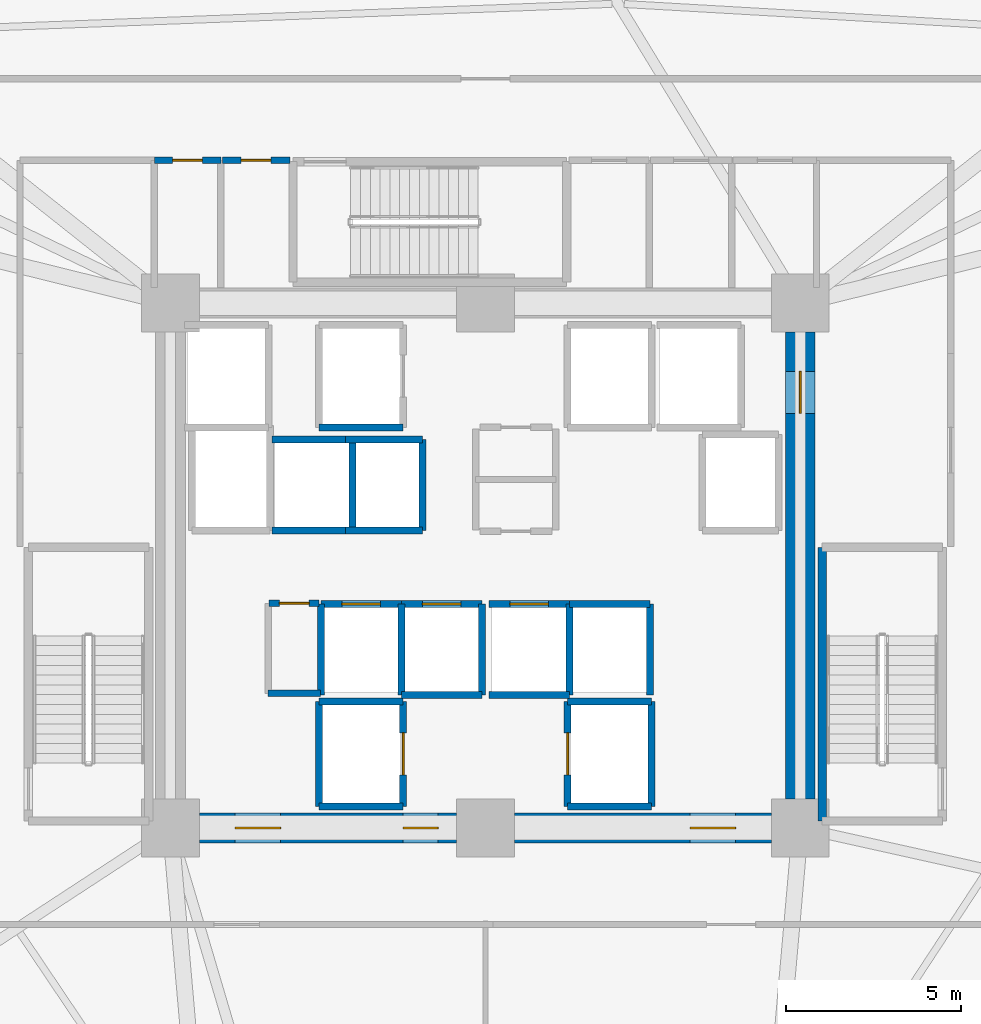
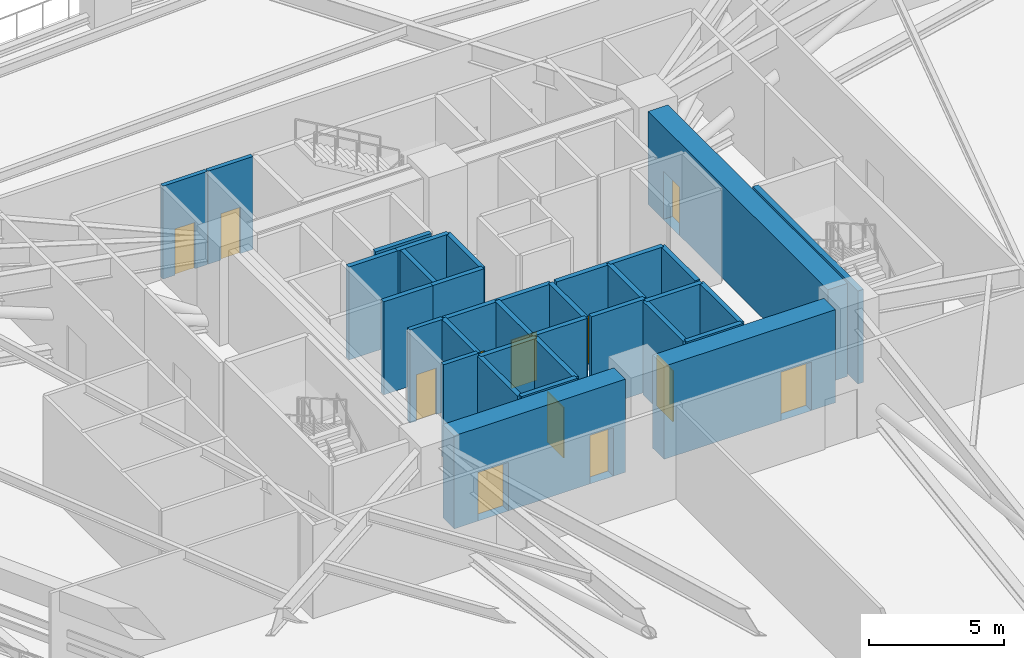
# One storey, part 18 of 25: 34 walls, 12 doors, 12 openings.
"""IFC4 building model written with IfcOpenShell, lengths in metres."""

from ifc_helpers import new_model, si_unit, direction, frame, frame_2d, origin, place, context, subcontext, project, spatial, rectangle, extrude, source, transform, mapped, material, layer, layer_set, type_object, element, fill, save


model = new_model("IFC4")

# Units and contexts
model_context = context("Model", 3, precision=1e-05, world=origin(), true_north=direction((0.0, 1.0)))
body_context = subcontext(model_context, "Body", "Model", "MODEL_VIEW")
ifc_project = project(units=[si_unit("LENGTHUNIT", "METRE"), si_unit("AREAUNIT", "SQUARE_METRE"), si_unit("VOLUMEUNIT", "CUBIC_METRE"), si_unit("PLANEANGLEUNIT", "RADIAN"), si_unit("MASSUNIT", "GRAM", prefix="KILO")], contexts=[model_context])

# Site, building, storey
site_placement = place(None, origin())
site = spatial("IfcSite", under=ifc_project, at=site_placement, CompositionType="ELEMENT")
building_placement = place(site_placement, origin())
building = spatial("IfcBuilding", under=site, at=building_placement, Name="Liaohun Quay Tower", CompositionType="ELEMENT")
storey_placement = place(building_placement, frame((0.0, 0.0, 93.0)))
storey = spatial("IfcBuildingStorey", under=building, at=storey_placement, Name="L24", CompositionType="ELEMENT", Elevation=93.0)

# Wall, opening, door
ifc_material_1 = material(Name="Concrete C60", Category="concrete")
ifc_layer_1 = layer(ifc_material_1, 0.85009765625, Name="Concrete C60", Category="concrete")
ifc_layer_set_1 = layer_set([ifc_layer_1], Name="Concrete C60")
wall_type_1 = type_object("IfcWallType", Name="WAL-COR-Z1", PredefinedType="SHEAR", material=ifc_layer_set_1)
wall_1_placement = place(storey_placement, frame((69.0, 60.675048828125, 0.0), z_axis=(0.0, 0.0, 1.0), x_axis=(0.0, -1.0, 0.0)))
wall_1 = element("IfcWall", 1, at=wall_1_placement, inside=storey, type_object=wall_type_1, Name="L24 Central Core Shear Wall E", PredefinedType="SHEAR", context=body_context, shape_type="SweptSolid", body=[
    extrude(rectangle(XDim=13.35009765625, YDim=0.85009765625, at=frame_2d((6.675048828125, 0.0))), origin(), (0.0, 0.0, 1.0), 4.219970703125),
])
shared_shape_1 = source(origin(), body_context, "Body", "SweptSolid", [
    extrude(rectangle(XDim=1.199951171875, YDim=2.199951171875, at=frame_2d((0.60009765625, 1.10009765625))), frame((0.0, 0.43505859375, 0.0), z_axis=(0.0, -1.0, 0.0), x_axis=(1.0, 0.0, 0.0)), (0.0, 0.0, 1.0), 0.8701171875),
])
opening_1_placement = place(wall_1_placement, frame((1.125, 0.0, 0.0)))
opening_1 = element("IfcOpeningElement", 2, at=opening_1_placement, cuts=wall_1, Name="Opening SD1", PredefinedType="OPENING", context=body_context, shape_type="MappedRepresentation", body=[
    mapped(shared_shape_1, transform((0.0, 0.0, 0.0), x_axis=(1.0, 0.0, 0.0), y_axis=(0.0, 1.0, 0.0), z_axis=(0.0, 0.0, 1.0), scale=1.0)),
])
ifc_material_2 = material(Name="Galvanised steel fire door", Category="steel")
door_type_1 = type_object("IfcDoorType", Name="DOR-STR-1200", OperationType="NOTDEFINED", PredefinedType="DOOR", material=ifc_material_2)
shared_shape_2 = source(origin(), body_context, "Body", "SweptSolid", [
    extrude(rectangle(XDim=1.199951171875, YDim=2.199951171875, at=frame_2d((0.60009765625, 1.10009765625))), frame((0.0, 0.02490234375, 0.0), z_axis=(0.0, -1.0, 0.0), x_axis=(1.0, 0.0, 0.0)), (0.0, 0.0, 1.0), 0.050048828125),
])
door_1_placement = place(opening_1_placement, origin())
door_1 = element("IfcDoor", 3, at=door_1_placement, inside=storey, type_object=door_type_1, Name="L24 North-East Core Lobby Smokeproof Door", OperationType="SINGLE_SWING_LEFT", OverallHeight=2.199951171875, OverallWidth=1.199951171875, PredefinedType="DOOR", context=body_context, shape_type="MappedRepresentation", body=[
    mapped(shared_shape_2, transform((0.0, 0.0, 0.0), x_axis=(1.0, 0.0, 0.0), y_axis=(0.0, 1.0, 0.0), z_axis=(0.0, 0.0, 1.0), scale=1.0)),
])
fill(opening_1, door_1)

wall_2_placement = place(storey_placement, frame((68.175048828125, 46.5, 0.0), z_axis=(0.0, 0.0, 1.0), x_axis=(-1.0, 0.0, 0.0)))
wall_2 = element("IfcWall", 4, at=wall_2_placement, inside=storey, type_object=wall_type_1, Name="L24 Central Core Shear Wall S-E", PredefinedType="SHEAR", context=body_context, shape_type="SweptSolid", body=[
    extrude(rectangle(XDim=7.35009765625, YDim=0.85009765625, at=frame_2d((3.675048828125, 0.0))), origin(), (0.0, 0.0, 1.0), 4.219970703125),
])
shared_shape_3 = source(origin(), body_context, "Body", "SweptSolid", [
    extrude(rectangle(XDim=1.300048828125, YDim=2.199951171875, at=frame_2d((0.64990234375, 1.10009765625))), frame((0.0, 0.43505859375, 0.0), z_axis=(0.0, -1.0, 0.0), x_axis=(1.0, 0.0, 0.0)), (0.0, 0.0, 1.0), 0.8701171875),
])
opening_2_placement = place(wall_2_placement, frame((1.02490234375, 0.0, 0.0)))
opening_2 = element("IfcOpeningElement", 5, at=opening_2_placement, cuts=wall_2, Name="Opening FD1", PredefinedType="OPENING", context=body_context, shape_type="MappedRepresentation", body=[
    mapped(shared_shape_3, transform((0.0, 0.0, 0.0), x_axis=(1.0, 0.0, 0.0), y_axis=(0.0, 1.0, 0.0), z_axis=(0.0, 0.0, 1.0), scale=1.0)),
])
ifc_material_3 = material(Name="Galvanised steel smokeproof fire door", Category="steel")
door_type_2 = type_object("IfcDoorType", Name="DOR-FFL-1300", OperationType="NOTDEFINED", PredefinedType="DOOR", material=ifc_material_3)
shared_shape_4 = source(origin(), body_context, "Body", "SweptSolid", [
    extrude(rectangle(XDim=1.300048828125, YDim=2.199951171875, at=frame_2d((0.64990234375, 1.10009765625))), frame((0.0, 0.02490234375, 0.0), z_axis=(0.0, -1.0, 0.0), x_axis=(1.0, 0.0, 0.0)), (0.0, 0.0, 1.0), 0.050048828125),
])
door_2_placement = place(opening_2_placement, origin())
door_2 = element("IfcDoor", 6, at=door_2_placement, inside=storey, type_object=door_type_2, Name="L24 East Core Lift Lobby Smokeproof Door", OperationType="SINGLE_SWING_LEFT", OverallHeight=2.199951171875, OverallWidth=1.300048828125, PredefinedType="DOOR", context=body_context, shape_type="MappedRepresentation", body=[
    mapped(shared_shape_4, transform((0.0, 0.0, 0.0), x_axis=(1.0, 0.0, 0.0), y_axis=(0.0, 1.0, 0.0), z_axis=(0.0, 0.0, 1.0), scale=1.0)),
])
fill(opening_2, door_2)

# Wall, openings, doors
wall_3_placement = place(storey_placement, frame((59.175048828125, 46.5, 0.0), z_axis=(0.0, 0.0, 1.0), x_axis=(-1.0, 0.0, 0.0)))
wall_3 = element("IfcWall", 7, at=wall_3_placement, inside=storey, type_object=wall_type_1, Name="L24 Central Core Shear Wall S-W", PredefinedType="SHEAR", context=body_context, shape_type="SweptSolid", body=[
    extrude(rectangle(XDim=7.35009765625, YDim=0.85009765625, at=frame_2d((3.675048828125, 0.0))), origin(), (0.0, 0.0, 1.0), 4.219970703125),
])
opening_3_placement = place(wall_3_placement, frame((5.02490234375, 0.0, 0.0)))
opening_3 = element("IfcOpeningElement", 8, at=opening_3_placement, cuts=wall_3, Name="Opening FD1", PredefinedType="OPENING", context=body_context, shape_type="MappedRepresentation", body=[
    mapped(shared_shape_3, transform((0.0, 0.0, 0.0), x_axis=(1.0, 0.0, 0.0), y_axis=(0.0, 1.0, 0.0), z_axis=(0.0, 0.0, 1.0), scale=1.0)),
])
shared_shape_5 = source(origin(), body_context, "Body", "SweptSolid", [
    extrude(rectangle(XDim=1.0, YDim=2.199951171875, at=frame_2d((0.5, 1.10009765625))), frame((0.0, 0.43505859375, 0.0), z_axis=(0.0, -1.0, 0.0), x_axis=(1.0, 0.0, 0.0)), (0.0, 0.0, 1.0), 0.8701171875),
])
opening_4_placement = place(wall_3_placement, frame((0.52490234375, 0.0, 0.0)))
opening_4 = element("IfcOpeningElement", 9, at=opening_4_placement, cuts=wall_3, Name="Opening FD2", PredefinedType="OPENING", context=body_context, shape_type="MappedRepresentation", body=[
    mapped(shared_shape_5, transform((0.0, 0.0, 0.0), x_axis=(1.0, 0.0, 0.0), y_axis=(0.0, 1.0, 0.0), z_axis=(0.0, 0.0, 1.0), scale=1.0)),
])
door_3_placement = place(opening_3_placement, origin())
door_3 = element("IfcDoor", 10, at=door_3_placement, inside=storey, type_object=door_type_2, Name="L24 West Core Lift Lobby Smokeproof Door", OperationType="SINGLE_SWING_RIGHT", OverallHeight=2.199951171875, OverallWidth=1.300048828125, PredefinedType="DOOR", context=body_context, shape_type="MappedRepresentation", body=[
    mapped(shared_shape_4, transform((0.0, 0.0, 0.0), x_axis=(1.0, 0.0, 0.0), y_axis=(0.0, 1.0, 0.0), z_axis=(0.0, 0.0, 1.0), scale=1.0)),
])
fill(opening_3, door_3)
ifc_material_4 = material(Name="Galvanised steel smokeproof lobby fire door", Category="steel")
door_type_3 = type_object("IfcDoorType", Name="DOR-FFL-1000", OperationType="NOTDEFINED", PredefinedType="DOOR", material=ifc_material_4)
shared_shape_6 = source(origin(), body_context, "Body", "SweptSolid", [
    extrude(rectangle(XDim=1.0, YDim=2.199951171875, at=frame_2d((0.5, 1.10009765625))), frame((0.0, 0.02490234375, 0.0), z_axis=(0.0, -1.0, 0.0), x_axis=(1.0, 0.0, 0.0)), (0.0, 0.0, 1.0), 0.050048828125),
])
door_4_placement = place(opening_4_placement, origin())
door_4 = element("IfcDoor", 11, at=door_4_placement, inside=storey, type_object=door_type_3, Name="L24 South Firefighting Lobby Smokeproof Door", OperationType="SINGLE_SWING_LEFT", OverallHeight=2.199951171875, OverallWidth=1.0, PredefinedType="DOOR", context=body_context, shape_type="MappedRepresentation", body=[
    mapped(shared_shape_6, transform((0.0, 0.0, 0.0), x_axis=(1.0, 0.0, 0.0), y_axis=(0.0, 1.0, 0.0), z_axis=(0.0, 0.0, 1.0), scale=1.0)),
])
fill(opening_4, door_4)

# Wall, opening, door
ifc_material_5 = material(Name="Autoclaved aerated concrete blockwork", Category="masonry")
ifc_layer_2 = layer(ifc_material_5, 0.179931640625, Name="Autoclaved aerated concrete blockwork", Category="masonry")
ifc_layer_set_2 = layer_set([ifc_layer_2], Name="Autoclaved aerated concrete blockwork")
wall_type_2 = type_object("IfcWallType", Name="WAL-PRT-COR", PredefinedType="PARTITIONING", material=ifc_layer_set_2)
wall_4_placement = place(storey_placement, frame((53.820068359375, 52.919921875, 0.0), z_axis=(0.0, 0.0, 1.0), x_axis=(1.0, 0.0, 0.0)))
wall_4 = element("IfcWall", 12, at=wall_4_placement, inside=storey, type_object=wall_type_2, Name="L24 Interior Partition Wall 003", PredefinedType="PARTITIONING", context=body_context, shape_type="SweptSolid", body=[
    extrude(rectangle(XDim=1.429931640625, YDim=0.179931640625, at=frame_2d((0.71484375, 0.0))), origin(), (0.0, 0.0, 1.0), 4.219970703125),
])
shared_shape_7 = source(origin(), body_context, "Body", "SweptSolid", [
    extrude(rectangle(XDim=0.85009765625, YDim=2.10009765625, at=frame_2d((0.425048828125, 1.050048828125))), frame((0.0, 0.099853515625, 0.0), z_axis=(0.0, -1.0, 0.0), x_axis=(1.0, 0.0, 0.0)), (0.0, 0.0, 1.0), 0.199951171875),
])
opening_5_placement = place(wall_4_placement, frame((0.2900390625, 0.0, 0.0)))
opening_5 = element("IfcOpeningElement", 13, at=opening_5_placement, cuts=wall_4, Name="Opening AD1", PredefinedType="OPENING", context=body_context, shape_type="MappedRepresentation", body=[
    mapped(shared_shape_7, transform((0.0, 0.0, 0.0), x_axis=(1.0, 0.0, 0.0), y_axis=(0.0, 1.0, 0.0), z_axis=(0.0, 0.0, 1.0), scale=1.0)),
])
ifc_material_6 = material(Name="Steel riser inspection fire door", Category="steel")
door_type_4 = type_object("IfcDoorType", Name="DOR-SHF-850", OperationType="NOTDEFINED", PredefinedType="DOOR", material=ifc_material_6)
shared_shape_8 = source(origin(), body_context, "Body", "SweptSolid", [
    extrude(rectangle(XDim=0.85009765625, YDim=2.10009765625, at=frame_2d((0.425048828125, 1.050048828125))), frame((0.0, 0.02490234375, 0.0), z_axis=(0.0, -1.0, 0.0), x_axis=(1.0, 0.0, 0.0)), (0.0, 0.0, 1.0), 0.050048828125),
])
door_5_placement = place(opening_5_placement, origin())
door_5 = element("IfcDoor", 14, at=door_5_placement, inside=storey, type_object=door_type_4, Name="L24 Core Fire Hose and Riser Closet Door", OperationType="SINGLE_SWING_LEFT", OverallHeight=2.10009765625, OverallWidth=0.85009765625, PredefinedType="DOOR", context=body_context, shape_type="MappedRepresentation", body=[
    mapped(shared_shape_8, transform((0.0, 0.0, 0.0), x_axis=(1.0, 0.0, 0.0), y_axis=(0.0, 1.0, 0.0), z_axis=(0.0, 0.0, 1.0), scale=1.0)),
])
fill(opening_5, door_5)

wall_5_placement = place(storey_placement, frame((50.5400390625, 65.580078125, 0.0), z_axis=(0.0, 0.0, 1.0), x_axis=(1.0, 0.0, 0.0)))
wall_5 = element("IfcWall", 15, at=wall_5_placement, inside=storey, type_object=wall_type_2, Name="L24 Interior Partition Wall 007", PredefinedType="PARTITIONING", context=body_context, shape_type="SweptSolid", body=[
    extrude(rectangle(XDim=1.89990234375, YDim=0.179931640625, at=frame_2d((0.949951171875, 0.0))), origin(), (0.0, 0.0, 1.0), 4.219970703125),
])
opening_6_placement = place(wall_5_placement, frame((0.52490234375, 0.0, 0.0)))
opening_6 = element("IfcOpeningElement", 16, at=opening_6_placement, cuts=wall_5, Name="Opening AD1", PredefinedType="OPENING", context=body_context, shape_type="MappedRepresentation", body=[
    mapped(shared_shape_7, transform((0.0, 0.0, 0.0), x_axis=(1.0, 0.0, 0.0), y_axis=(0.0, 1.0, 0.0), z_axis=(0.0, 0.0, 1.0), scale=1.0)),
])
door_6_placement = place(opening_6_placement, origin())
door_6 = element("IfcDoor", 17, at=door_6_placement, inside=storey, type_object=door_type_4, Name="L24 North-West Riser Closet Door", OperationType="SINGLE_SWING_LEFT", OverallHeight=2.10009765625, OverallWidth=0.85009765625, PredefinedType="DOOR", context=body_context, shape_type="MappedRepresentation", body=[
    mapped(shared_shape_8, transform((0.0, 0.0, 0.0), x_axis=(1.0, 0.0, 0.0), y_axis=(0.0, 1.0, 0.0), z_axis=(0.0, 0.0, 1.0), scale=1.0)),
])
fill(opening_6, door_6)

wall_6_placement = place(storey_placement, frame((52.47998046875, 65.580078125, 0.0), z_axis=(0.0, 0.0, 1.0), x_axis=(1.0, 0.0, 0.0)))
wall_6 = element("IfcWall", 18, at=wall_6_placement, inside=storey, type_object=wall_type_2, Name="L24 Interior Partition Wall 008", PredefinedType="PARTITIONING", context=body_context, shape_type="SweptSolid", body=[
    extrude(rectangle(XDim=1.929931640625, YDim=0.179931640625, at=frame_2d((0.96484375, 0.0))), origin(), (0.0, 0.0, 1.0), 4.219970703125),
])
opening_7_placement = place(wall_6_placement, frame((0.5400390625, 0.0, 0.0)))
opening_7 = element("IfcOpeningElement", 19, at=opening_7_placement, cuts=wall_6, Name="Opening AD1", PredefinedType="OPENING", context=body_context, shape_type="MappedRepresentation", body=[
    mapped(shared_shape_7, transform((0.0, 0.0, 0.0), x_axis=(1.0, 0.0, 0.0), y_axis=(0.0, 1.0, 0.0), z_axis=(0.0, 0.0, 1.0), scale=1.0)),
])
door_7_placement = place(opening_7_placement, origin())
door_7 = element("IfcDoor", 20, at=door_7_placement, inside=storey, type_object=door_type_4, Name="L24 North-West Print Closet Door", OperationType="SINGLE_SWING_RIGHT", OverallHeight=2.10009765625, OverallWidth=0.85009765625, PredefinedType="DOOR", context=body_context, shape_type="MappedRepresentation", body=[
    mapped(shared_shape_8, transform((0.0, 0.0, 0.0), x_axis=(1.0, 0.0, 0.0), y_axis=(0.0, 1.0, 0.0), z_axis=(0.0, 0.0, 1.0), scale=1.0)),
])
fill(opening_7, door_7)

# Walls
wall_7_placement = place(storey_placement, frame((53.7900390625, 50.35009765625, 0.0), z_axis=(0.0, 0.0, 1.0), x_axis=(1.0, 0.0, 0.0)))
element("IfcWall", 21, at=wall_7_placement, inside=storey, type_object=wall_type_2, Name="L24 Interior Partition Wall 023", PredefinedType="PARTITIONING", context=body_context, shape_type="SweptSolid", body=[
    extrude(rectangle(XDim=1.489990234375, YDim=0.179931640625, at=frame_2d((0.7451171875, 0.0))), origin(), (0.0, 0.0, 1.0), 4.219970703125),
])
ifc_material_7 = material(Name="Concrete C50", Category="concrete")
ifc_layer_3 = layer(ifc_material_7, 0.239990234375, Name="Concrete C50", Category="concrete")
ifc_layer_set_3 = layer_set([ifc_layer_3], Name="Concrete C50")
wall_type_3 = type_object("IfcWallType", Name="WAL-SHF-200", PredefinedType="SOLIDWALL", material=ifc_layer_set_3)
wall_8_placement = place(storey_placement, frame((69.6201171875, 54.52001953125, 0.0), z_axis=(0.0, 0.0, 1.0), x_axis=(0.0, -1.0, 0.0)))
element("IfcWall", 22, at=wall_8_placement, inside=storey, type_object=wall_type_3, Name="L24 Stairwell ST-2 Structural Core Wall W", PredefinedType="SOLIDWALL", context=body_context, shape_type="SweptSolid", body=[
    extrude(rectangle(XDim=7.820068359375, YDim=0.239990234375, at=frame_2d((3.91015625, 0.0))), origin(), (0.0, 0.0, 1.0), 4.219970703125),
])
wall_9_placement = place(storey_placement, frame((55.25, 47.1201171875, 0.0), z_axis=(0.0, 0.0, 1.0), x_axis=(1.0, 0.0, 0.0)))
element("IfcWall", 23, at=wall_9_placement, inside=storey, type_object=wall_type_3, Name="L24 Lift FF-01 Hoistway Wall S", PredefinedType="SOLIDWALL", context=body_context, shape_type="SweptSolid", body=[
    extrude(rectangle(XDim=2.39990234375, YDim=0.199951171875, at=frame_2d((1.199951171875, 0.0))), origin(), (0.0, 0.0, 1.0), 4.219970703125),
])

# Wall, opening, door
wall_10_placement = place(storey_placement, frame((57.64990234375, 47.1201171875, 0.0), z_axis=(0.0, 0.0, 1.0), x_axis=(0.0, 1.0, 0.0)))
wall_10 = element("IfcWall", 24, at=wall_10_placement, inside=storey, type_object=wall_type_3, Name="L24 Lift FF-01 Hoistway Wall E", PredefinedType="SOLIDWALL", context=body_context, shape_type="SweptSolid", body=[
    extrude(rectangle(XDim=3.0, YDim=0.199951171875, at=frame_2d((1.5, 0.0))), origin(), (0.0, 0.0, 1.0), 4.219970703125),
])
shared_shape_9 = source(origin(), body_context, "Body", "SweptSolid", [
    extrude(rectangle(XDim=1.199951171875, YDim=2.300048828125, at=frame_2d((0.60009765625, 1.14990234375))), frame((0.0, 0.10986328125, 0.0), z_axis=(0.0, -1.0, 0.0), x_axis=(1.0, 0.0, 0.0)), (0.0, 0.0, 1.0), 0.219970703125),
])
opening_8_placement = place(wall_10_placement, frame((0.89990234375, 0.0, 0.0)))
opening_8 = element("IfcOpeningElement", 25, at=opening_8_placement, cuts=wall_10, Name="Opening LD2", PredefinedType="OPENING", context=body_context, shape_type="MappedRepresentation", body=[
    mapped(shared_shape_9, transform((0.0, 0.0, 0.0), x_axis=(1.0, 0.0, 0.0), y_axis=(0.0, 1.0, 0.0), z_axis=(0.0, 0.0, 1.0), scale=1.0)),
])
ifc_material_8 = material(Name="Brushed stainless steel stretcher landing door", Category="steel")
door_type_5 = type_object("IfcDoorType", Name="DOR-LFT-1200", OperationType="SLIDING_TO_LEFT", PredefinedType="DOOR", material=ifc_material_8)
shared_shape_10 = source(origin(), body_context, "Body", "SweptSolid", [
    extrude(rectangle(XDim=1.199951171875, YDim=2.300048828125, at=frame_2d((0.60009765625, 1.14990234375))), frame((0.0, 0.02490234375, 0.0), z_axis=(0.0, -1.0, 0.0), x_axis=(1.0, 0.0, 0.0)), (0.0, 0.0, 1.0), 0.050048828125),
])
door_8_placement = place(opening_8_placement, origin())
door_8 = element("IfcDoor", 26, at=door_8_placement, inside=storey, type_object=door_type_5, Name="L24 Lift FF-01 Sliding Landing Door", OperationType="SLIDING_TO_LEFT", OverallHeight=2.300048828125, OverallWidth=1.199951171875, PredefinedType="DOOR", context=body_context, shape_type="MappedRepresentation", body=[
    mapped(shared_shape_10, transform((0.0, 0.0, 0.0), x_axis=(1.0, 0.0, 0.0), y_axis=(0.0, 1.0, 0.0), z_axis=(0.0, 0.0, 1.0), scale=1.0)),
])
fill(opening_8, door_8)

# Walls
wall_11_placement = place(storey_placement, frame((57.64990234375, 50.1201171875, 0.0), z_axis=(0.0, 0.0, 1.0), x_axis=(-1.0, 0.0, 0.0)))
element("IfcWall", 27, at=wall_11_placement, inside=storey, type_object=wall_type_3, Name="L24 Lift FF-01 Hoistway Wall N", PredefinedType="SOLIDWALL", context=body_context, shape_type="SweptSolid", body=[
    extrude(rectangle(XDim=2.39990234375, YDim=0.199951171875, at=frame_2d((1.199951171875, 0.0))), origin(), (0.0, 0.0, 1.0), 4.219970703125),
])
wall_12_placement = place(storey_placement, frame((55.25, 50.1201171875, 0.0), z_axis=(0.0, 0.0, 1.0), x_axis=(0.0, -1.0, 0.0)))
element("IfcWall", 28, at=wall_12_placement, inside=storey, type_object=wall_type_3, Name="L24 Lift FF-01 Hoistway Wall W", PredefinedType="SOLIDWALL", context=body_context, shape_type="SweptSolid", body=[
    extrude(rectangle(XDim=3.0, YDim=0.199951171875, at=frame_2d((1.5, 0.0))), origin(), (0.0, 0.0, 1.0), 4.219970703125),
])
wall_13_placement = place(storey_placement, frame((62.35009765625, 47.1201171875, 0.0), z_axis=(0.0, 0.0, 1.0), x_axis=(1.0, 0.0, 0.0)))
element("IfcWall", 29, at=wall_13_placement, inside=storey, type_object=wall_type_3, Name="L24 Lift FF-02 Hoistway Wall S", PredefinedType="SOLIDWALL", context=body_context, shape_type="SweptSolid", body=[
    extrude(rectangle(XDim=2.39990234375, YDim=0.199951171875, at=frame_2d((1.199951171875, 0.0))), origin(), (0.0, 0.0, 1.0), 4.219970703125),
])
wall_14_placement = place(storey_placement, frame((64.75, 47.1201171875, 0.0), z_axis=(0.0, 0.0, 1.0), x_axis=(0.0, 1.0, 0.0)))
element("IfcWall", 30, at=wall_14_placement, inside=storey, type_object=wall_type_3, Name="L24 Lift FF-02 Hoistway Wall E", PredefinedType="SOLIDWALL", context=body_context, shape_type="SweptSolid", body=[
    extrude(rectangle(XDim=3.0, YDim=0.199951171875, at=frame_2d((1.5, 0.0))), origin(), (0.0, 0.0, 1.0), 4.219970703125),
])
wall_15_placement = place(storey_placement, frame((64.75, 50.1201171875, 0.0), z_axis=(0.0, 0.0, 1.0), x_axis=(-1.0, 0.0, 0.0)))
element("IfcWall", 31, at=wall_15_placement, inside=storey, type_object=wall_type_3, Name="L24 Lift FF-02 Hoistway Wall N", PredefinedType="SOLIDWALL", context=body_context, shape_type="SweptSolid", body=[
    extrude(rectangle(XDim=2.39990234375, YDim=0.199951171875, at=frame_2d((1.199951171875, 0.0))), origin(), (0.0, 0.0, 1.0), 4.219970703125),
])

# Wall, opening, door
wall_16_placement = place(storey_placement, frame((62.35009765625, 50.1201171875, 0.0), z_axis=(0.0, 0.0, 1.0), x_axis=(0.0, -1.0, 0.0)))
wall_16 = element("IfcWall", 32, at=wall_16_placement, inside=storey, type_object=wall_type_3, Name="L24 Lift FF-02 Hoistway Wall W", PredefinedType="SOLIDWALL", context=body_context, shape_type="SweptSolid", body=[
    extrude(rectangle(XDim=3.0, YDim=0.199951171875, at=frame_2d((1.5, 0.0))), origin(), (0.0, 0.0, 1.0), 4.219970703125),
])
opening_9_placement = place(wall_16_placement, frame((0.89990234375, 0.0, 0.0)))
opening_9 = element("IfcOpeningElement", 33, at=opening_9_placement, cuts=wall_16, Name="Opening LD2", PredefinedType="OPENING", context=body_context, shape_type="MappedRepresentation", body=[
    mapped(shared_shape_9, transform((0.0, 0.0, 0.0), x_axis=(1.0, 0.0, 0.0), y_axis=(0.0, 1.0, 0.0), z_axis=(0.0, 0.0, 1.0), scale=1.0)),
])
door_9_placement = place(opening_9_placement, origin())
door_9 = element("IfcDoor", 34, at=door_9_placement, inside=storey, type_object=door_type_5, Name="L24 Lift FF-02 Sliding Landing Door", OperationType="SLIDING_TO_LEFT", OverallHeight=2.300048828125, OverallWidth=1.199951171875, PredefinedType="DOOR", context=body_context, shape_type="MappedRepresentation", body=[
    mapped(shared_shape_10, transform((0.0, 0.0, 0.0), x_axis=(1.0, 0.0, 0.0), y_axis=(0.0, 1.0, 0.0), z_axis=(0.0, 0.0, 1.0), scale=1.0)),
])
fill(opening_9, door_9)

# Walls
wall_17_placement = place(storey_placement, frame((55.25, 57.949951171875, 0.0), z_axis=(0.0, 0.0, 1.0), x_axis=(1.0, 0.0, 0.0)))
element("IfcWall", 35, at=wall_17_placement, inside=storey, type_object=wall_type_3, Name="L24 Lift FF-03 Hoistway Wall S", PredefinedType="SOLIDWALL", context=body_context, shape_type="SweptSolid", body=[
    extrude(rectangle(XDim=2.39990234375, YDim=0.199951171875, at=frame_2d((1.199951171875, 0.0))), origin(), (0.0, 0.0, 1.0), 4.219970703125),
])
wall_18_placement = place(storey_placement, frame((57.60009765625, 50.300048828125, 0.0), z_axis=(0.0, 0.0, 1.0), x_axis=(0.0, 1.0, 0.0)))
element("IfcWall", 36, at=wall_18_placement, inside=storey, type_object=wall_type_3, Name="L24 Lift PL-1A Hoistway Wall E", PredefinedType="SOLIDWALL", context=body_context, shape_type="SweptSolid", body=[
    extrude(rectangle(XDim=2.599853515625, YDim=0.199951171875, at=frame_2d((1.2998046875, 0.0))), origin(), (0.0, 0.0, 1.0), 4.219970703125),
])

# Wall, opening, door
wall_19_placement = place(storey_placement, frame((57.60009765625, 52.89990234375, 0.0), z_axis=(0.0, 0.0, 1.0), x_axis=(-1.0, 0.0, 0.0)))
wall_19 = element("IfcWall", 37, at=wall_19_placement, inside=storey, type_object=wall_type_3, Name="L24 Lift PL-1A Hoistway Wall N", PredefinedType="SOLIDWALL", context=body_context, shape_type="SweptSolid", body=[
    extrude(rectangle(XDim=2.300048828125, YDim=0.199951171875, at=frame_2d((1.14990234375, 0.0))), origin(), (0.0, 0.0, 1.0), 4.219970703125),
])
shared_shape_11 = source(origin(), body_context, "Body", "SweptSolid", [
    extrude(rectangle(XDim=1.10009765625, YDim=2.199951171875, at=frame_2d((0.550048828125, 1.10009765625))), frame((0.0, 0.10986328125, 0.0), z_axis=(0.0, -1.0, 0.0), x_axis=(1.0, 0.0, 0.0)), (0.0, 0.0, 1.0), 0.219970703125),
])
opening_10_placement = place(wall_19_placement, frame((0.60009765625, 0.0, 0.0)))
opening_10 = element("IfcOpeningElement", 38, at=opening_10_placement, cuts=wall_19, Name="Opening LD1", PredefinedType="OPENING", context=body_context, shape_type="MappedRepresentation", body=[
    mapped(shared_shape_11, transform((0.0, 0.0, 0.0), x_axis=(1.0, 0.0, 0.0), y_axis=(0.0, 1.0, 0.0), z_axis=(0.0, 0.0, 1.0), scale=1.0)),
])
ifc_material_9 = material(Name="Brushed stainless steel landing door", Category="steel")
door_type_6 = type_object("IfcDoorType", Name="DOR-LFT-1100", OperationType="SLIDING_TO_LEFT", PredefinedType="DOOR", material=ifc_material_9)
shared_shape_12 = source(origin(), body_context, "Body", "SweptSolid", [
    extrude(rectangle(XDim=1.10009765625, YDim=2.199951171875, at=frame_2d((0.550048828125, 1.10009765625))), frame((0.0, 0.02490234375, 0.0), z_axis=(0.0, -1.0, 0.0), x_axis=(1.0, 0.0, 0.0)), (0.0, 0.0, 1.0), 0.050048828125),
])
door_10_placement = place(opening_10_placement, origin())
door_10 = element("IfcDoor", 39, at=door_10_placement, inside=storey, type_object=door_type_6, Name="L24 Lift PL-1A Sliding Landing Door", OperationType="SLIDING_TO_LEFT", OverallHeight=2.199951171875, OverallWidth=1.10009765625, PredefinedType="DOOR", context=body_context, shape_type="MappedRepresentation", body=[
    mapped(shared_shape_12, transform((0.0, 0.0, 0.0), x_axis=(1.0, 0.0, 0.0), y_axis=(0.0, 1.0, 0.0), z_axis=(0.0, 0.0, 1.0), scale=1.0)),
])
fill(opening_10, door_10)

# Walls
wall_20_placement = place(storey_placement, frame((55.300048828125, 52.89990234375, 0.0), z_axis=(0.0, 0.0, 1.0), x_axis=(0.0, -1.0, 0.0)))
element("IfcWall", 40, at=wall_20_placement, inside=storey, type_object=wall_type_3, Name="L24 Lift PL-1A Hoistway Wall W", PredefinedType="SOLIDWALL", context=body_context, shape_type="SweptSolid", body=[
    extrude(rectangle(XDim=2.599853515625, YDim=0.199951171875, at=frame_2d((1.2998046875, 0.0))), origin(), (0.0, 0.0, 1.0), 4.219970703125),
])
wall_21_placement = place(storey_placement, frame((57.60009765625, 50.300048828125, 0.0), z_axis=(0.0, 0.0, 1.0), x_axis=(1.0, 0.0, 0.0)))
element("IfcWall", 41, at=wall_21_placement, inside=storey, type_object=wall_type_3, Name="L24 Lift PL-1B Hoistway Wall S", PredefinedType="SOLIDWALL", context=body_context, shape_type="SweptSolid", body=[
    extrude(rectangle(XDim=2.2998046875, YDim=0.199951171875, at=frame_2d((1.14990234375, 0.0))), origin(), (0.0, 0.0, 1.0), 4.219970703125),
])
wall_22_placement = place(storey_placement, frame((59.89990234375, 50.300048828125, 0.0), z_axis=(0.0, 0.0, 1.0), x_axis=(0.0, 1.0, 0.0)))
element("IfcWall", 42, at=wall_22_placement, inside=storey, type_object=wall_type_3, Name="L24 Lift PL-1B Hoistway Wall E", PredefinedType="SOLIDWALL", context=body_context, shape_type="SweptSolid", body=[
    extrude(rectangle(XDim=2.599853515625, YDim=0.199951171875, at=frame_2d((1.2998046875, 0.0))), origin(), (0.0, 0.0, 1.0), 4.219970703125),
])

# Wall, opening, door
wall_23_placement = place(storey_placement, frame((59.89990234375, 52.89990234375, 0.0), z_axis=(0.0, 0.0, 1.0), x_axis=(-1.0, 0.0, 0.0)))
wall_23 = element("IfcWall", 43, at=wall_23_placement, inside=storey, type_object=wall_type_3, Name="L24 Lift PL-1B Hoistway Wall N", PredefinedType="SOLIDWALL", context=body_context, shape_type="SweptSolid", body=[
    extrude(rectangle(XDim=2.2998046875, YDim=0.199951171875, at=frame_2d((1.14990234375, 0.0))), origin(), (0.0, 0.0, 1.0), 4.219970703125),
])
opening_11_placement = place(wall_23_placement, frame((0.60009765625, 0.0, 0.0)))
opening_11 = element("IfcOpeningElement", 44, at=opening_11_placement, cuts=wall_23, Name="Opening LD1", PredefinedType="OPENING", context=body_context, shape_type="MappedRepresentation", body=[
    mapped(shared_shape_11, transform((0.0, 0.0, 0.0), x_axis=(1.0, 0.0, 0.0), y_axis=(0.0, 1.0, 0.0), z_axis=(0.0, 0.0, 1.0), scale=1.0)),
])
door_11_placement = place(opening_11_placement, origin())
door_11 = element("IfcDoor", 45, at=door_11_placement, inside=storey, type_object=door_type_6, Name="L24 Lift PL-1B Sliding Landing Door", OperationType="SLIDING_TO_LEFT", OverallHeight=2.199951171875, OverallWidth=1.10009765625, PredefinedType="DOOR", context=body_context, shape_type="MappedRepresentation", body=[
    mapped(shared_shape_12, transform((0.0, 0.0, 0.0), x_axis=(1.0, 0.0, 0.0), y_axis=(0.0, 1.0, 0.0), z_axis=(0.0, 0.0, 1.0), scale=1.0)),
])
fill(opening_11, door_11)

# Walls
wall_24_placement = place(storey_placement, frame((60.10009765625, 50.300048828125, 0.0), z_axis=(0.0, 0.0, 1.0), x_axis=(1.0, 0.0, 0.0)))
element("IfcWall", 46, at=wall_24_placement, inside=storey, type_object=wall_type_3, Name="L24 Lift PL-1C Hoistway Wall S", PredefinedType="SOLIDWALL", context=body_context, shape_type="SweptSolid", body=[
    extrude(rectangle(XDim=2.2998046875, YDim=0.199951171875, at=frame_2d((1.14990234375, 0.0))), origin(), (0.0, 0.0, 1.0), 4.219970703125),
])
wall_25_placement = place(storey_placement, frame((62.39990234375, 50.300048828125, 0.0), z_axis=(0.0, 0.0, 1.0), x_axis=(0.0, 1.0, 0.0)))
element("IfcWall", 47, at=wall_25_placement, inside=storey, type_object=wall_type_3, Name="L24 Lift PL-1C Hoistway Wall E", PredefinedType="SOLIDWALL", context=body_context, shape_type="SweptSolid", body=[
    extrude(rectangle(XDim=2.599853515625, YDim=0.199951171875, at=frame_2d((1.2998046875, 0.0))), origin(), (0.0, 0.0, 1.0), 4.219970703125),
])

# Wall, opening, door
wall_26_placement = place(storey_placement, frame((62.39990234375, 52.89990234375, 0.0), z_axis=(0.0, 0.0, 1.0), x_axis=(-1.0, 0.0, 0.0)))
wall_26 = element("IfcWall", 48, at=wall_26_placement, inside=storey, type_object=wall_type_3, Name="L24 Lift PL-1C Hoistway Wall N", PredefinedType="SOLIDWALL", context=body_context, shape_type="SweptSolid", body=[
    extrude(rectangle(XDim=2.2998046875, YDim=0.199951171875, at=frame_2d((1.14990234375, 0.0))), origin(), (0.0, 0.0, 1.0), 4.219970703125),
])
opening_12_placement = place(wall_26_placement, frame((0.60009765625, 0.0, 0.0)))
opening_12 = element("IfcOpeningElement", 49, at=opening_12_placement, cuts=wall_26, Name="Opening LD1", PredefinedType="OPENING", context=body_context, shape_type="MappedRepresentation", body=[
    mapped(shared_shape_11, transform((0.0, 0.0, 0.0), x_axis=(1.0, 0.0, 0.0), y_axis=(0.0, 1.0, 0.0), z_axis=(0.0, 0.0, 1.0), scale=1.0)),
])
door_12_placement = place(opening_12_placement, origin())
door_12 = element("IfcDoor", 50, at=door_12_placement, inside=storey, type_object=door_type_6, Name="L24 Lift PL-1C Sliding Landing Door", OperationType="SLIDING_TO_LEFT", OverallHeight=2.199951171875, OverallWidth=1.10009765625, PredefinedType="DOOR", context=body_context, shape_type="MappedRepresentation", body=[
    mapped(shared_shape_12, transform((0.0, 0.0, 0.0), x_axis=(1.0, 0.0, 0.0), y_axis=(0.0, 1.0, 0.0), z_axis=(0.0, 0.0, 1.0), scale=1.0)),
])
fill(opening_12, door_12)

# Walls
wall_27_placement = place(storey_placement, frame((64.699951171875, 50.300048828125, 0.0), z_axis=(0.0, 0.0, 1.0), x_axis=(0.0, 1.0, 0.0)))
element("IfcWall", 51, at=wall_27_placement, inside=storey, type_object=wall_type_3, Name="L24 Lift PL-2A Hoistway Wall E", PredefinedType="SOLIDWALL", context=body_context, shape_type="SweptSolid", body=[
    extrude(rectangle(XDim=2.599853515625, YDim=0.199951171875, at=frame_2d((1.2998046875, 0.0))), origin(), (0.0, 0.0, 1.0), 4.219970703125),
])
for number, where, z_axis, x_axis, name in (
    (52, (64.699951171875, 52.89990234375, 0.0), (0.0, 0.0, 1.0), (-1.0, 0.0, 0.0), "L24 Lift PL-2A Hoistway Wall N"),
    (53, (53.89990234375, 55.0, 0.0), (0.0, 0.0, 1.0), (1.0, 0.0, 0.0), "L24 Lift PL-2B Hoistway Wall S"),
):
    element("IfcWall", number, at=place(storey_placement, frame(where, z_axis=z_axis, x_axis=x_axis)), inside=storey, type_object=wall_type_3, Name=name, PredefinedType="SOLIDWALL", context=body_context, shape_type="SweptSolid", body=[
        extrude(rectangle(XDim=2.300048828125, YDim=0.199951171875, at=frame_2d((1.14990234375, 0.0))), origin(), (0.0, 0.0, 1.0), 4.219970703125),
    ])
wall_28_placement = place(storey_placement, frame((56.199951171875, 55.0, 0.0), z_axis=(0.0, 0.0, 1.0), x_axis=(0.0, 1.0, 0.0)))
element("IfcWall", 54, at=wall_28_placement, inside=storey, type_object=wall_type_3, Name="L24 Lift PL-2B Hoistway Wall E", PredefinedType="SOLIDWALL", context=body_context, shape_type="SweptSolid", body=[
    extrude(rectangle(XDim=2.60009765625, YDim=0.199951171875, at=frame_2d((1.300048828125, 0.0))), origin(), (0.0, 0.0, 1.0), 4.219970703125),
])
wall_29_placement = place(storey_placement, frame((56.199951171875, 57.60009765625, 0.0), z_axis=(0.0, 0.0, 1.0), x_axis=(-1.0, 0.0, 0.0)))
element("IfcWall", 55, at=wall_29_placement, inside=storey, type_object=wall_type_3, Name="L24 Lift PL-2B Hoistway Wall N", PredefinedType="SOLIDWALL", context=body_context, shape_type="SweptSolid", body=[
    extrude(rectangle(XDim=2.300048828125, YDim=0.199951171875, at=frame_2d((1.14990234375, 0.0))), origin(), (0.0, 0.0, 1.0), 4.219970703125),
])
wall_30_placement = place(storey_placement, frame((56.0, 55.0, 0.0), z_axis=(0.0, 0.0, 1.0), x_axis=(1.0, 0.0, 0.0)))
element("IfcWall", 56, at=wall_30_placement, inside=storey, type_object=wall_type_3, Name="L24 Lift PL-2C Hoistway Wall S", PredefinedType="SOLIDWALL", context=body_context, shape_type="SweptSolid", body=[
    extrude(rectangle(XDim=2.199951171875, YDim=0.199951171875, at=frame_2d((1.10009765625, 0.0))), origin(), (0.0, 0.0, 1.0), 4.219970703125),
])
wall_31_placement = place(storey_placement, frame((58.199951171875, 55.0, 0.0), z_axis=(0.0, 0.0, 1.0), x_axis=(0.0, 1.0, 0.0)))
element("IfcWall", 57, at=wall_31_placement, inside=storey, type_object=wall_type_3, Name="L24 Lift PL-2C Hoistway Wall E", PredefinedType="SOLIDWALL", context=body_context, shape_type="SweptSolid", body=[
    extrude(rectangle(XDim=2.60009765625, YDim=0.199951171875, at=frame_2d((1.300048828125, 0.0))), origin(), (0.0, 0.0, 1.0), 4.219970703125),
])
wall_32_placement = place(storey_placement, frame((58.199951171875, 57.60009765625, 0.0), z_axis=(0.0, 0.0, 1.0), x_axis=(-1.0, 0.0, 0.0)))
element("IfcWall", 58, at=wall_32_placement, inside=storey, type_object=wall_type_3, Name="L24 Lift PL-2C Hoistway Wall N", PredefinedType="SOLIDWALL", context=body_context, shape_type="SweptSolid", body=[
    extrude(rectangle(XDim=2.199951171875, YDim=0.199951171875, at=frame_2d((1.10009765625, 0.0))), origin(), (0.0, 0.0, 1.0), 4.219970703125),
])

save(model, "model.ifc")
